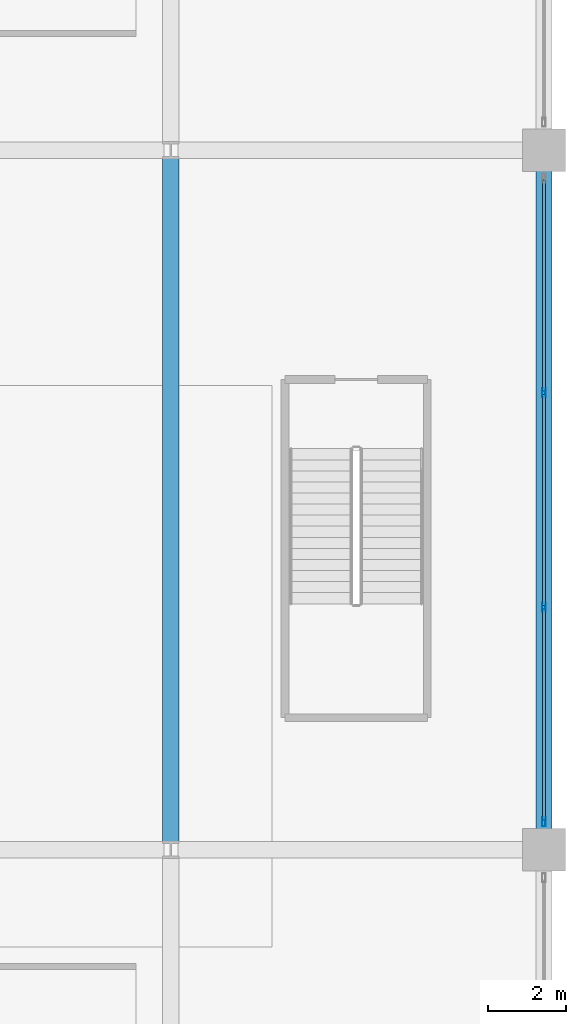
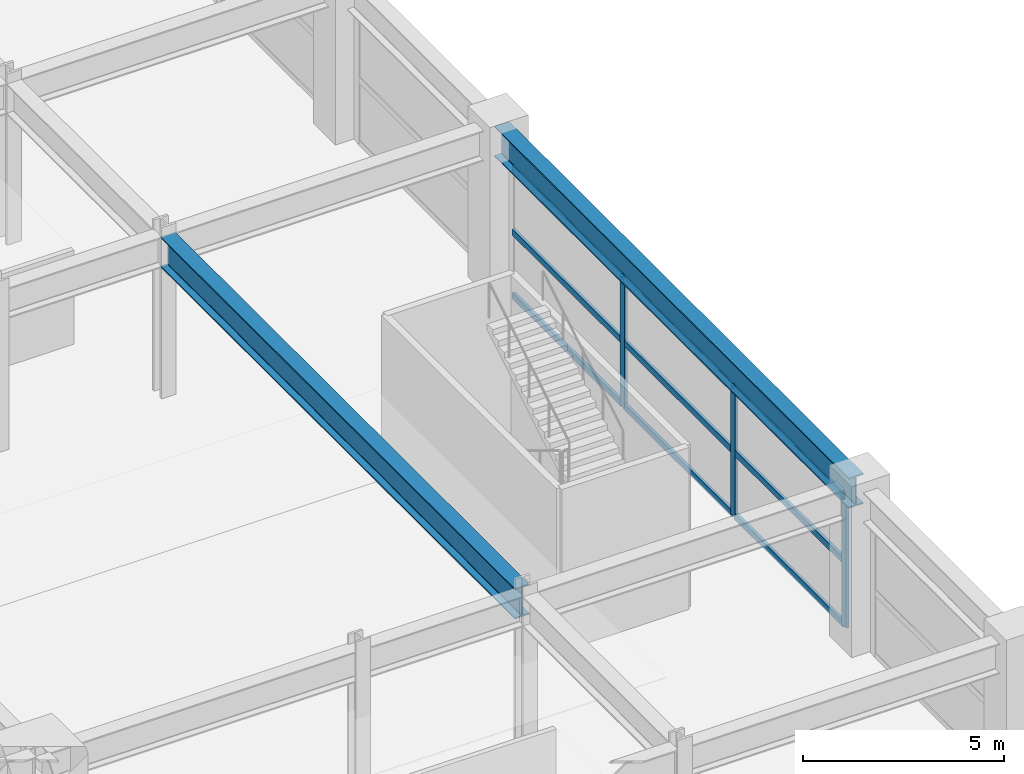
# One storey, part 28 of 43: 12 members, 2 beams, 1 element without a shape of its own.
"""IFC4 building model written with IfcOpenShell, lengths in metres."""

from ifc_helpers import new_model, si_unit, direction, frame, origin, origin_2d, place, context, subcontext, project, spatial, hollow_rectangle, i_section, extrude, material, material_profile, profile_set, type_object, element, aggregate, save


model = new_model("IFC4")

# Units and contexts
model_context = context("Model", 3, precision=1e-05, world=origin(), true_north=direction((0.0, 1.0)))
body_context = subcontext(model_context, "Body", "Model", "MODEL_VIEW")
ifc_project = project(units=[si_unit("LENGTHUNIT", "METRE"), si_unit("AREAUNIT", "SQUARE_METRE"), si_unit("VOLUMEUNIT", "CUBIC_METRE"), si_unit("PLANEANGLEUNIT", "RADIAN"), si_unit("MASSUNIT", "GRAM", prefix="KILO")], contexts=[model_context])

# Site, building, storey
site_placement = place(None, origin())
site = spatial("IfcSite", under=ifc_project, at=site_placement, CompositionType="ELEMENT")
building_placement = place(site_placement, origin())
building = spatial("IfcBuilding", under=site, at=building_placement, Name="Kovane Verandah Tower", CompositionType="ELEMENT")
storey_placement = place(building_placement, frame((0.0, 0.0, 11.199951171875)))
storey = spatial("IfcBuildingStorey", under=building, at=storey_placement, Name="L02", CompositionType="ELEMENT", Elevation=11.199951171875)

# Beams
ifc_material_1 = material(Name="Steel S460", Category="steel")
ifc_material_profile_1 = material_profile(ifc_material_1, i_section(OverallWidth=0.42041015625, OverallDepth=0.9208984375, WebThickness=0.021484375, FlangeThickness=0.03662109375, FilletRadius=0.024169921875, at=origin_2d()), Name="UB914x419x388")
ifc_profile_set_1 = profile_set([ifc_material_profile_1], Name="Steel S460")
beam_type = type_object("IfcBeamType", Name="BM-UB914x388", PredefinedType="BEAM", material=ifc_profile_set_1)
for number, where, z_axis, x_axis, name in (
    (1, (72.39990234375, 18.679931640625, 4.439453125), (0.0, 1.0, 0.0), (-1.0, 0.0, 0.0), "L02 Podium Grid Girder Y37"),
    (2, (82.0, 18.679931640625, 4.439453125), (0.0, 1.0, 0.0), (-1.0, 0.0, 0.0), "L02 Podium Grid Girder Y41"),
):
    element("IfcBeam", number, at=place(storey_placement, frame(where, z_axis=z_axis, x_axis=x_axis)), inside=storey, type_object=beam_type, Name=name, PredefinedType="BEAM", context=body_context, shape_type="SweptSolid", body=[
        extrude(i_section(OverallWidth=0.42041015625, OverallDepth=0.9208984375, WebThickness=0.021484375, FlangeThickness=0.03662109375, FilletRadius=0.024169921875, at=origin_2d()), origin(), (0.0, 0.0, 1.0), 17.64013671875),
    ])

# Curtain wall, members
ifc_material_2 = material(Name="Champagne Anodised Aluminium Frame with Low-E Clear Laminated Glass", Category="aluminium")
curtain_wall_type = type_object("IfcCurtainWallType", Name="CW-SYS-01-POD", PredefinedType="NOTDEFINED", material=ifc_material_2)
curtain_wall_placement = place(storey_placement, origin())
curtain_wall = element("IfcCurtainWall", 3, at=curtain_wall_placement, inside=storey, type_object=curtain_wall_type, Name="L02 East Podium Curtain Wall Bay 3", PredefinedType="NOTDEFINED")
ifc_material_3 = material(Name="Champagne Anodised Aluminium 6063-T6", Category="aluminium")
ifc_material_profile_2 = material_profile(ifc_material_3, hollow_rectangle(XDim=0.0849609375, YDim=0.22998046875, WallThickness=0.00390625, at=origin_2d()), Name="AL85x230x4")
ifc_profile_set_2 = profile_set([ifc_material_profile_2], Name="Champagne Anodised Aluminium 6063-T6")
member_type_1 = type_object("IfcMemberType", Name="CW-MUL-85x230", PredefinedType="MULLION", material=ifc_profile_set_2)
member_1_placement = place(storey_placement, frame((82.0, 19.219970703125, 0.02001953125), z_axis=(0.0, 0.0, 1.0), x_axis=(1.0, 0.0, 0.0)))
member_1 = element("IfcMember", 4, at=member_1_placement, type_object=member_type_1, Name="L02 East Podium Curtain Wall Bay 3 Mullion 1", PredefinedType="MULLION", context=body_context, shape_type="SweptSolid", body=[
    extrude(hollow_rectangle(XDim=0.0849609375, YDim=0.22998046875, WallThickness=0.00390625, at=origin_2d()), origin(), (0.0, 0.0, 1.0), 3.9189453125),
])
member_2_placement = place(storey_placement, frame((82.0, 24.739990234375, 0.02001953125), z_axis=(0.0, 0.0, 1.0), x_axis=(1.0, 0.0, 0.0)))
member_2 = element("IfcMember", 5, at=member_2_placement, type_object=member_type_1, Name="L02 East Podium Curtain Wall Bay 3 Mullion 2", PredefinedType="MULLION", context=body_context, shape_type="SweptSolid", body=[
    extrude(hollow_rectangle(XDim=0.0849609375, YDim=0.22998046875, WallThickness=0.00390625, at=origin_2d()), origin(), (0.0, 0.0, 1.0), 3.9189453125),
])
member_3_placement = place(storey_placement, frame((82.0, 30.260009765625, 0.02001953125), z_axis=(0.0, 0.0, 1.0), x_axis=(1.0, 0.0, 0.0)))
member_3 = element("IfcMember", 6, at=member_3_placement, type_object=member_type_1, Name="L02 East Podium Curtain Wall Bay 3 Mullion 3", PredefinedType="MULLION", context=body_context, shape_type="SweptSolid", body=[
    extrude(hollow_rectangle(XDim=0.0849609375, YDim=0.22998046875, WallThickness=0.00390625, at=origin_2d()), origin(), (0.0, 0.0, 1.0), 3.9189453125),
])
ifc_material_profile_3 = material_profile(ifc_material_3, hollow_rectangle(XDim=0.0849609375, YDim=0.18994140625, WallThickness=0.00390625, at=origin_2d()), Name="AL85x190x4")
ifc_profile_set_3 = profile_set([ifc_material_profile_3], Name="Champagne Anodised Aluminium 6063-T6")
member_type_2 = type_object("IfcMemberType", Name="CW-TRN-85x190", PredefinedType="USERDEFINED", material=ifc_profile_set_3)
member_4_placement = place(storey_placement, frame((82.0, 19.27001953125, 0.050048828125), z_axis=(0.0, 1.0, 0.0), x_axis=(-1.0, 0.0, 0.0)))
member_4 = element("IfcMember", 7, at=member_4_placement, type_object=member_type_2, Name="L02 East Podium Curtain Wall Bay 3 Transom TB Bay 1", ObjectType="TRANSOM", PredefinedType="USERDEFINED", context=body_context, shape_type="SweptSolid", body=[
    extrude(hollow_rectangle(XDim=0.0849609375, YDim=0.18994140625, WallThickness=0.00390625, at=origin_2d()), origin(), (0.0, 0.0, 1.0), 5.419921875),
])
member_5_placement = place(storey_placement, frame((82.0, 19.27001953125, 1.9794921875), z_axis=(0.0, 1.0, 0.0), x_axis=(-1.0, 0.0, 0.0)))
member_5 = element("IfcMember", 8, at=member_5_placement, type_object=member_type_2, Name="L02 East Podium Curtain Wall Bay 3 Transom TM Bay 1", ObjectType="TRANSOM", PredefinedType="USERDEFINED", context=body_context, shape_type="SweptSolid", body=[
    extrude(hollow_rectangle(XDim=0.0849609375, YDim=0.18994140625, WallThickness=0.00390625, at=origin_2d()), origin(), (0.0, 0.0, 1.0), 5.419921875),
])
member_6_placement = place(storey_placement, frame((82.0, 19.27001953125, 3.908935546875), z_axis=(0.0, 1.0, 0.0), x_axis=(-1.0, 0.0, 0.0)))
member_6 = element("IfcMember", 9, at=member_6_placement, type_object=member_type_2, Name="L02 East Podium Curtain Wall Bay 3 Transom TT Bay 1", ObjectType="TRANSOM", PredefinedType="USERDEFINED", context=body_context, shape_type="SweptSolid", body=[
    extrude(hollow_rectangle(XDim=0.0849609375, YDim=0.18994140625, WallThickness=0.00390625, at=origin_2d()), origin(), (0.0, 0.0, 1.0), 5.419921875),
])
member_7_placement = place(storey_placement, frame((82.0, 24.7900390625, 0.050048828125), z_axis=(0.0, 1.0, 0.0), x_axis=(-1.0, 0.0, 0.0)))
member_7 = element("IfcMember", 10, at=member_7_placement, type_object=member_type_2, Name="L02 East Podium Curtain Wall Bay 3 Transom TB Bay 2", ObjectType="TRANSOM", PredefinedType="USERDEFINED", context=body_context, shape_type="SweptSolid", body=[
    extrude(hollow_rectangle(XDim=0.0849609375, YDim=0.18994140625, WallThickness=0.00390625, at=origin_2d()), origin(), (0.0, 0.0, 1.0), 5.419921875),
])
member_8_placement = place(storey_placement, frame((82.0, 24.7900390625, 1.9794921875), z_axis=(0.0, 1.0, 0.0), x_axis=(-1.0, 0.0, 0.0)))
member_8 = element("IfcMember", 11, at=member_8_placement, type_object=member_type_2, Name="L02 East Podium Curtain Wall Bay 3 Transom TM Bay 2", ObjectType="TRANSOM", PredefinedType="USERDEFINED", context=body_context, shape_type="SweptSolid", body=[
    extrude(hollow_rectangle(XDim=0.0849609375, YDim=0.18994140625, WallThickness=0.00390625, at=origin_2d()), origin(), (0.0, 0.0, 1.0), 5.419921875),
])
member_9_placement = place(storey_placement, frame((82.0, 24.7900390625, 3.908935546875), z_axis=(0.0, 1.0, 0.0), x_axis=(-1.0, 0.0, 0.0)))
member_9 = element("IfcMember", 12, at=member_9_placement, type_object=member_type_2, Name="L02 East Podium Curtain Wall Bay 3 Transom TT Bay 2", ObjectType="TRANSOM", PredefinedType="USERDEFINED", context=body_context, shape_type="SweptSolid", body=[
    extrude(hollow_rectangle(XDim=0.0849609375, YDim=0.18994140625, WallThickness=0.00390625, at=origin_2d()), origin(), (0.0, 0.0, 1.0), 5.419921875),
])
member_10_placement = place(storey_placement, frame((82.0, 30.31005859375, 0.050048828125), z_axis=(0.0, 1.0, 0.0), x_axis=(-1.0, 0.0, 0.0)))
member_10 = element("IfcMember", 13, at=member_10_placement, type_object=member_type_2, Name="L02 East Podium Curtain Wall Bay 3 Transom TB Bay 3", ObjectType="TRANSOM", PredefinedType="USERDEFINED", context=body_context, shape_type="SweptSolid", body=[
    extrude(hollow_rectangle(XDim=0.0849609375, YDim=0.18994140625, WallThickness=0.00390625, at=origin_2d()), origin(), (0.0, 0.0, 1.0), 5.419921875),
])
member_11_placement = place(storey_placement, frame((82.0, 30.31005859375, 1.9794921875), z_axis=(0.0, 1.0, 0.0), x_axis=(-1.0, 0.0, 0.0)))
member_11 = element("IfcMember", 14, at=member_11_placement, type_object=member_type_2, Name="L02 East Podium Curtain Wall Bay 3 Transom TM Bay 3", ObjectType="TRANSOM", PredefinedType="USERDEFINED", context=body_context, shape_type="SweptSolid", body=[
    extrude(hollow_rectangle(XDim=0.0849609375, YDim=0.18994140625, WallThickness=0.00390625, at=origin_2d()), origin(), (0.0, 0.0, 1.0), 5.419921875),
])
member_12_placement = place(storey_placement, frame((82.0, 30.31005859375, 3.908935546875), z_axis=(0.0, 1.0, 0.0), x_axis=(-1.0, 0.0, 0.0)))
member_12 = element("IfcMember", 15, at=member_12_placement, type_object=member_type_2, Name="L02 East Podium Curtain Wall Bay 3 Transom TT Bay 3", ObjectType="TRANSOM", PredefinedType="USERDEFINED", context=body_context, shape_type="SweptSolid", body=[
    extrude(hollow_rectangle(XDim=0.0849609375, YDim=0.18994140625, WallThickness=0.00390625, at=origin_2d()), origin(), (0.0, 0.0, 1.0), 5.419921875),
])
aggregate(curtain_wall, [member_1, member_2, member_3, member_4, member_5, member_6, member_7, member_8, member_9, member_10, member_11, member_12])

save(model, "model.ifc")
